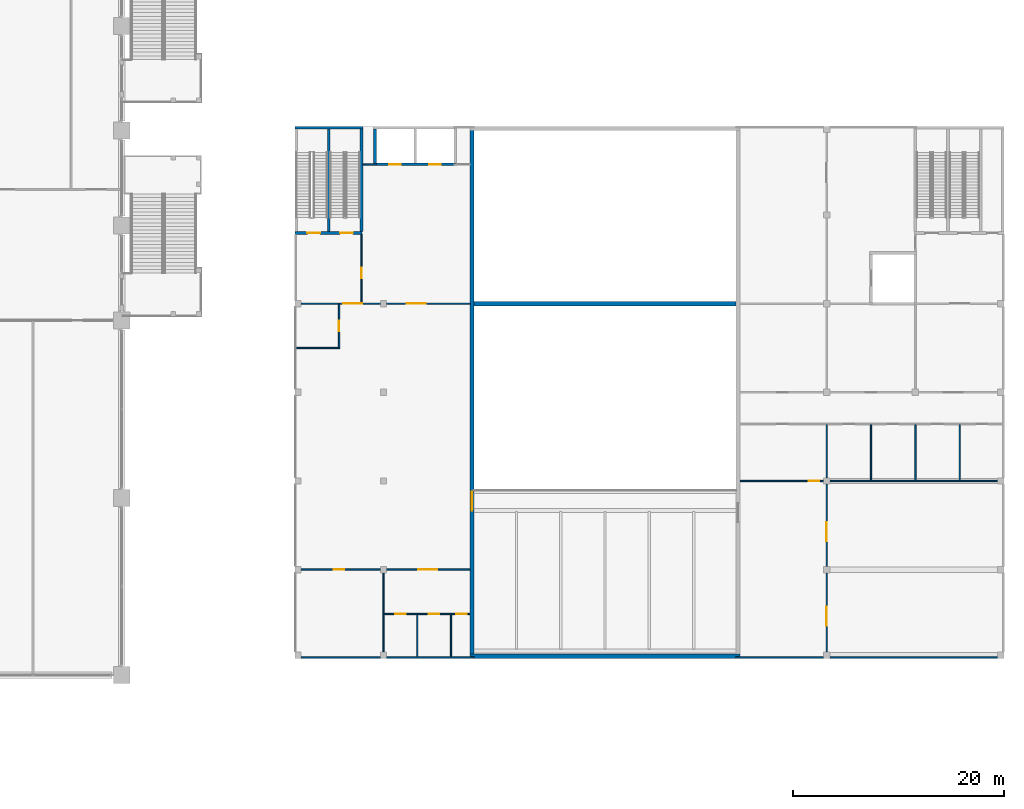
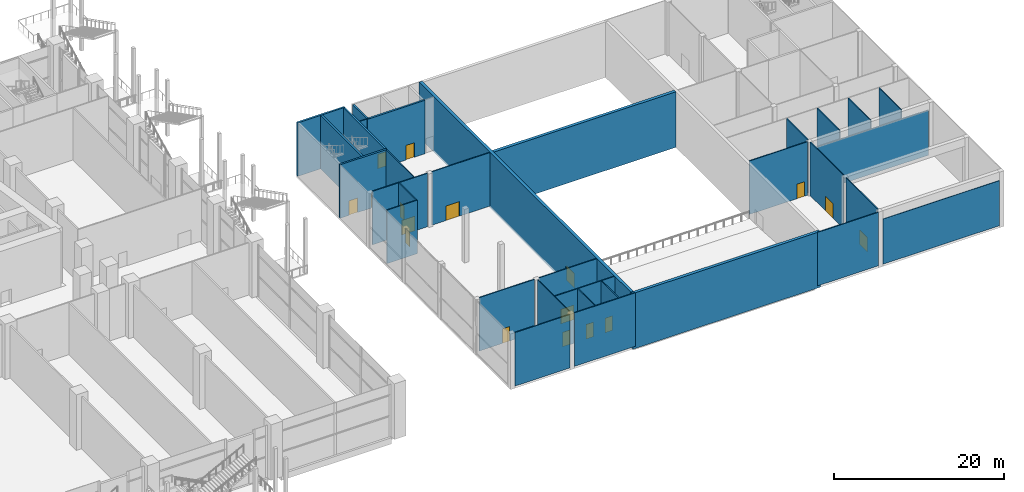
# One storey, part 31 of 52: 33 walls, 17 doors, 17 openings.
"""IFC4 building model written with IfcOpenShell, lengths in metres."""

from ifc_helpers import new_model, si_unit, direction, frame, frame_2d, origin, place, context, subcontext, project, spatial, rectangle, extrude, material, layer, layer_set, type_object, element, fill, save


model = new_model("IFC4")

# Units and contexts
model_context = context("Model", 3, precision=1e-05, world=origin(), true_north=direction((0.0, 1.0)))
body_context = subcontext(model_context, "Body", "Model", "MODEL_VIEW")
ifc_project = project(units=[si_unit("LENGTHUNIT", "METRE"), si_unit("AREAUNIT", "SQUARE_METRE"), si_unit("VOLUMEUNIT", "CUBIC_METRE"), si_unit("PLANEANGLEUNIT", "RADIAN"), si_unit("MASSUNIT", "GRAM", prefix="KILO")], contexts=[model_context])

# Site, building, storey
site_placement = place(None, origin())
site = spatial("IfcSite", under=ifc_project, at=site_placement, CompositionType="ELEMENT")
building_placement = place(site_placement, origin())
building = spatial("IfcBuilding", under=site, at=building_placement, Name="Candeia Pilgrim Tower and Theatre", CompositionType="ELEMENT")
storey_placement = place(building_placement, frame((0.0, 0.0, 9.0)))
storey = spatial("IfcBuildingStorey", under=building, at=storey_placement, Name="L01", CompositionType="ELEMENT", Elevation=9.0)

# Walls
ifc_material_1 = material(Name="Gypsum board on steel studs", Category="steel")
ifc_layer_1 = layer(ifc_material_1, 0.125)
ifc_layer_set_1 = layer_set([ifc_layer_1], Name="Partition 125")
wall_type_1 = type_object("IfcWallType", Name="Partition 125", PredefinedType="PARTITIONING", material=ifc_layer_set_1)
wall_1_placement = place(storey_placement, frame((176.60009765625, 66.0625, 0.0), z_axis=(0.0, 0.0, 1.0), x_axis=(1.0, 0.0, 0.0)))
element("IfcWall", 1, at=wall_1_placement, inside=storey, type_object=wall_type_1, Name="T-L01-W001", PredefinedType="PARTITIONING", context=body_context, shape_type="SweptSolid", body=[
    extrude(rectangle(XDim=7.5, YDim=0.125, at=frame_2d((3.75, 0.0))), origin(), (0.0, 0.0, 1.0), 7.699951171875),
])
for number, where, z_axis, x_axis, name in (
    (2, (184.699951171875, 66.0625, 0.0), (0.0, 0.0, 1.0), (1.0, 0.0, 0.0), "T-L01-W002"),
    (3, (217.800048828125, 66.0625, 0.0), (0.0, 0.0, 1.0), (1.0, 0.0, 0.0), "T-L01-W003"),
):
    element("IfcWall", number, at=place(storey_placement, frame(where, z_axis=z_axis, x_axis=x_axis)), inside=storey, type_object=wall_type_1, Name=name, PredefinedType="PARTITIONING", context=body_context, shape_type="SweptSolid", body=[
        extrude(rectangle(XDim=8.300048828125, YDim=0.125, at=frame_2d((4.14990234375, 0.0))), origin(), (0.0, 0.0, 1.0), 7.699951171875),
    ])
wall_2_placement = place(storey_placement, frame((226.699951171875, 66.0625, 0.0), z_axis=(0.0, 0.0, 1.0), x_axis=(1.0, 0.0, 0.0)))
element("IfcWall", 4, at=wall_2_placement, inside=storey, type_object=wall_type_1, Name="T-L01-W004", PredefinedType="PARTITIONING", context=body_context, shape_type="SweptSolid", body=[
    extrude(rectangle(XDim=15.900146484375, YDim=0.125, at=frame_2d((7.9501953125, 0.0))), origin(), (0.0, 0.0, 1.0), 6.5),
])

# Wall, openings, doors
wall_3_placement = place(storey_placement, frame((184.46240234375, 70.199951171875, 0.0), z_axis=(0.0, 0.0, 1.0), x_axis=(1.0, 0.0, 0.0)))
wall_3 = element("IfcWall", 5, at=wall_3_placement, inside=storey, type_object=wall_type_1, Name="T-L01-W006", PredefinedType="PARTITIONING", context=body_context, shape_type="SweptSolid", body=[
    extrude(rectangle(XDim=8.1376953125, YDim=0.125, at=frame_2d((4.06884765625, 0.0))), origin(), (0.0, 0.0, 1.0), 7.699951171875),
])
opening_1_placement = place(wall_3_placement, frame((1.03759765625, 0.0, 0.0)))
opening_1 = element("IfcOpeningElement", 6, at=opening_1_placement, cuts=wall_3, Name="Opening TD-L01-013", PredefinedType="OPENING", context=body_context, shape_type="SweptSolid", body=[
    extrude(rectangle(XDim=1.0, YDim=2.10009765625, at=frame_2d((0.5, 1.050048828125))), frame((0.0, 0.072509765625, 0.0), z_axis=(0.0, -1.0, 0.0), x_axis=(1.0, 0.0, 0.0)), (0.0, 0.0, 1.0), 0.14501953125),
])
opening_2_placement = place(wall_3_placement, frame((4.237548828125, 0.0, 0.0)))
opening_2 = element("IfcOpeningElement", 7, at=opening_2_placement, cuts=wall_3, Name="Opening TD-L01-014", PredefinedType="OPENING", context=body_context, shape_type="SweptSolid", body=[
    extrude(rectangle(XDim=1.0, YDim=2.10009765625, at=frame_2d((0.5, 1.050048828125))), frame((0.0, 0.072509765625, 0.0), z_axis=(0.0, -1.0, 0.0), x_axis=(1.0, 0.0, 0.0)), (0.0, 0.0, 1.0), 0.14501953125),
])
opening_3_placement = place(wall_3_placement, frame((6.83740234375, 0.0, 0.0)))
opening_3 = element("IfcOpeningElement", 8, at=opening_3_placement, cuts=wall_3, Name="Opening TD-L01-015", PredefinedType="OPENING", context=body_context, shape_type="SweptSolid", body=[
    extrude(rectangle(XDim=1.0, YDim=2.10009765625, at=frame_2d((0.5, 1.050048828125))), frame((0.0, 0.072509765625, 0.0), z_axis=(0.0, -1.0, 0.0), x_axis=(1.0, 0.0, 0.0)), (0.0, 0.0, 1.0), 0.14501953125),
])
ifc_material_2 = material(Name="Timber door leaf", Category="wood")
door_type_1 = type_object("IfcDoorType", Name="Door single 1000x2100", OperationType="NOTDEFINED", PredefinedType="DOOR", material=ifc_material_2)
door_1_placement = place(opening_1_placement, origin())
door_1 = element("IfcDoor", 9, at=door_1_placement, inside=storey, type_object=door_type_1, Name="Door TD-L01-013", OperationType="SINGLE_SWING_LEFT", OverallHeight=2.10009765625, OverallWidth=1.0, PredefinedType="DOOR", context=body_context, shape_type="SweptSolid", body=[
    extrude(rectangle(XDim=1.0, YDim=2.10009765625, at=frame_2d((0.5, 1.050048828125))), frame((0.0, 0.02490234375, 0.0), z_axis=(0.0, -1.0, 0.0), x_axis=(1.0, 0.0, 0.0)), (0.0, 0.0, 1.0), 0.050048828125),
])
fill(opening_1, door_1)
door_2_placement = place(opening_2_placement, origin())
door_2 = element("IfcDoor", 10, at=door_2_placement, inside=storey, type_object=door_type_1, Name="Door TD-L01-014", OperationType="SINGLE_SWING_RIGHT", OverallHeight=2.10009765625, OverallWidth=1.0, PredefinedType="DOOR", context=body_context, shape_type="SweptSolid", body=[
    extrude(rectangle(XDim=1.0, YDim=2.10009765625, at=frame_2d((0.5, 1.050048828125))), frame((0.0, 0.02490234375, 0.0), z_axis=(0.0, -1.0, 0.0), x_axis=(1.0, 0.0, 0.0)), (0.0, 0.0, 1.0), 0.050048828125),
])
fill(opening_2, door_2)
door_3_placement = place(opening_3_placement, origin())
door_3 = element("IfcDoor", 11, at=door_3_placement, inside=storey, type_object=door_type_1, Name="Door TD-L01-015", OperationType="SINGLE_SWING_LEFT", OverallHeight=2.10009765625, OverallWidth=1.0, PredefinedType="DOOR", context=body_context, shape_type="SweptSolid", body=[
    extrude(rectangle(XDim=1.0, YDim=2.10009765625, at=frame_2d((0.5, 1.050048828125))), frame((0.0, 0.02490234375, 0.0), z_axis=(0.0, -1.0, 0.0), x_axis=(1.0, 0.0, 0.0)), (0.0, 0.0, 1.0), 0.050048828125),
])
fill(opening_3, door_3)

# Wall, opening, door
wall_4_placement = place(storey_placement, frame((176.60009765625, 74.39990234375, 0.0), z_axis=(0.0, 0.0, 1.0), x_axis=(1.0, 0.0, 0.0)))
wall_4 = element("IfcWall", 12, at=wall_4_placement, inside=storey, type_object=wall_type_1, Name="T-L01-W007", PredefinedType="PARTITIONING", context=body_context, shape_type="SweptSolid", body=[
    extrude(rectangle(XDim=7.5, YDim=0.125, at=frame_2d((3.75, 0.0))), origin(), (0.0, 0.0, 1.0), 7.699951171875),
])
opening_4_placement = place(wall_4_placement, frame((3.10009765625, 0.0, 0.0)))
opening_4 = element("IfcOpeningElement", 13, at=opening_4_placement, cuts=wall_4, Name="Opening TD-L01-016", PredefinedType="OPENING", context=body_context, shape_type="SweptSolid", body=[
    extrude(rectangle(XDim=1.0, YDim=2.10009765625, at=frame_2d((0.5, 1.050048828125))), frame((0.0, 0.072509765625, 0.0), z_axis=(0.0, -1.0, 0.0), x_axis=(1.0, 0.0, 0.0)), (0.0, 0.0, 1.0), 0.14501953125),
])
door_4_placement = place(opening_4_placement, origin())
door_4 = element("IfcDoor", 14, at=door_4_placement, inside=storey, type_object=door_type_1, Name="Door TD-L01-016", OperationType="SINGLE_SWING_RIGHT", OverallHeight=2.10009765625, OverallWidth=1.0, PredefinedType="DOOR", context=body_context, shape_type="SweptSolid", body=[
    extrude(rectangle(XDim=1.0, YDim=2.10009765625, at=frame_2d((0.5, 1.050048828125))), frame((0.0, 0.02490234375, 0.0), z_axis=(0.0, -1.0, 0.0), x_axis=(1.0, 0.0, 0.0)), (0.0, 0.0, 1.0), 0.050048828125),
])
fill(opening_4, door_4)

wall_5_placement = place(storey_placement, frame((184.699951171875, 74.39990234375, 0.0), z_axis=(0.0, 0.0, 1.0), x_axis=(1.0, 0.0, 0.0)))
wall_5 = element("IfcWall", 15, at=wall_5_placement, inside=storey, type_object=wall_type_1, Name="T-L01-W008", PredefinedType="PARTITIONING", context=body_context, shape_type="SweptSolid", body=[
    extrude(rectangle(XDim=7.900146484375, YDim=0.125, at=frame_2d((3.9501953125, 0.0))), origin(), (0.0, 0.0, 1.0), 7.699951171875),
])
opening_5_placement = place(wall_5_placement, frame((3.0, 0.0, 0.0)))
opening_5 = element("IfcOpeningElement", 16, at=opening_5_placement, cuts=wall_5, Name="Opening TD-L01-012", PredefinedType="OPENING", context=body_context, shape_type="SweptSolid", body=[
    extrude(rectangle(XDim=1.800048828125, YDim=2.10009765625, at=frame_2d((0.89990234375, 1.050048828125))), frame((0.0, 0.072509765625, 0.0), z_axis=(0.0, -1.0, 0.0), x_axis=(1.0, 0.0, 0.0)), (0.0, 0.0, 1.0), 0.14501953125),
])
door_type_2 = type_object("IfcDoorType", Name="Door double 1800x2100", OperationType="DOUBLE_DOOR_SINGLE_SWING", PredefinedType="DOOR", material=ifc_material_2)
door_5_placement = place(opening_5_placement, origin())
door_5 = element("IfcDoor", 17, at=door_5_placement, inside=storey, type_object=door_type_2, Name="Door TD-L01-012", OperationType="DOUBLE_DOOR_SINGLE_SWING", OverallHeight=2.10009765625, OverallWidth=1.800048828125, PredefinedType="DOOR", context=body_context, shape_type="SweptSolid", body=[
    extrude(rectangle(XDim=1.800048828125, YDim=2.10009765625, at=frame_2d((0.89990234375, 1.050048828125))), frame((0.0, 0.02490234375, 0.0), z_axis=(0.0, -1.0, 0.0), x_axis=(1.0, 0.0, 0.0)), (0.0, 0.0, 1.0), 0.050048828125),
])
fill(opening_5, door_5)

wall_6_placement = place(storey_placement, frame((218.199951171875, 82.800048828125, 0.0), z_axis=(0.0, 0.0, 1.0), x_axis=(1.0, 0.0, 0.0)))
wall_6 = element("IfcWall", 18, at=wall_6_placement, inside=storey, type_object=wall_type_1, Name="T-L01-W009", PredefinedType="PARTITIONING", context=body_context, shape_type="SweptSolid", body=[
    extrude(rectangle(XDim=7.900146484375, YDim=0.125, at=frame_2d((3.9501953125, 0.0))), origin(), (0.0, 0.0, 1.0), 7.699951171875),
])
opening_6_placement = place(wall_6_placement, frame((6.5, 0.0, 0.0)))
opening_6 = element("IfcOpeningElement", 19, at=opening_6_placement, cuts=wall_6, Name="Opening TD-L01-024", PredefinedType="OPENING", context=body_context, shape_type="SweptSolid", body=[
    extrude(rectangle(XDim=1.0, YDim=2.10009765625, at=frame_2d((0.5, 1.050048828125))), frame((0.0, 0.072509765625, 0.0), z_axis=(0.0, -1.0, 0.0), x_axis=(1.0, 0.0, 0.0)), (0.0, 0.0, 1.0), 0.14501953125),
])
door_6_placement = place(opening_6_placement, origin())
door_6 = element("IfcDoor", 20, at=door_6_placement, inside=storey, type_object=door_type_1, Name="Door TD-L01-024", OperationType="SINGLE_SWING_RIGHT", OverallHeight=2.10009765625, OverallWidth=1.0, PredefinedType="DOOR", context=body_context, shape_type="SweptSolid", body=[
    extrude(rectangle(XDim=1.0, YDim=2.10009765625, at=frame_2d((0.5, 1.050048828125))), frame((0.0, 0.02490234375, 0.0), z_axis=(0.0, -1.0, 0.0), x_axis=(1.0, 0.0, 0.0)), (0.0, 0.0, 1.0), 0.050048828125),
])
fill(opening_6, door_6)

# Walls
wall_7_placement = place(storey_placement, frame((226.699951171875, 82.800048828125, 0.0), z_axis=(0.0, 0.0, 1.0), x_axis=(1.0, 0.0, 0.0)))
element("IfcWall", 21, at=wall_7_placement, inside=storey, type_object=wall_type_1, Name="T-L01-W010", PredefinedType="PARTITIONING", context=body_context, shape_type="SweptSolid", body=[
    extrude(rectangle(XDim=15.900146484375, YDim=0.125, at=frame_2d((7.9501953125, 0.0))), origin(), (0.0, 0.0, 1.0), 6.5),
])
wall_8_placement = place(storey_placement, frame((176.125, 95.39990234375, 0.0), z_axis=(0.0, 0.0, 1.0), x_axis=(1.0, 0.0, 0.0)))
element("IfcWall", 22, at=wall_8_placement, inside=storey, type_object=wall_type_1, Name="T-L01-W015", PredefinedType="PARTITIONING", context=body_context, shape_type="SweptSolid", body=[
    extrude(rectangle(XDim=4.137451171875, YDim=0.125, at=frame_2d((2.06884765625, 0.0))), origin(), (0.0, 0.0, 1.0), 7.699951171875),
])

# Wall, opening, door
wall_9_placement = place(storey_placement, frame((176.60009765625, 99.60009765625, 0.0), z_axis=(0.0, 0.0, 1.0), x_axis=(1.0, 0.0, 0.0)))
wall_9 = element("IfcWall", 23, at=wall_9_placement, inside=storey, type_object=wall_type_1, Name="T-L01-W016", PredefinedType="PARTITIONING", context=body_context, shape_type="SweptSolid", body=[
    extrude(rectangle(XDim=7.5, YDim=0.125, at=frame_2d((3.75, 0.0))), origin(), (0.0, 0.0, 1.0), 7.699951171875),
])
opening_7_placement = place(wall_9_placement, frame((4.0, 0.0, 0.0)))
opening_7 = element("IfcOpeningElement", 24, at=opening_7_placement, cuts=wall_9, Name="Opening TD-L01-018", PredefinedType="OPENING", context=body_context, shape_type="SweptSolid", body=[
    extrude(rectangle(XDim=1.800048828125, YDim=2.10009765625, at=frame_2d((0.89990234375, 1.050048828125))), frame((0.0, 0.072509765625, 0.0), z_axis=(0.0, -1.0, 0.0), x_axis=(1.0, 0.0, 0.0)), (0.0, 0.0, 1.0), 0.14501953125),
])
door_7_placement = place(opening_7_placement, origin())
door_7 = element("IfcDoor", 25, at=door_7_placement, inside=storey, type_object=door_type_2, Name="Door TD-L01-018", OperationType="DOUBLE_DOOR_SINGLE_SWING", OverallHeight=2.10009765625, OverallWidth=1.800048828125, PredefinedType="DOOR", context=body_context, shape_type="SweptSolid", body=[
    extrude(rectangle(XDim=1.800048828125, YDim=2.10009765625, at=frame_2d((0.89990234375, 1.050048828125))), frame((0.0, 0.02490234375, 0.0), z_axis=(0.0, -1.0, 0.0), x_axis=(1.0, 0.0, 0.0)), (0.0, 0.0, 1.0), 0.050048828125),
])
fill(opening_7, door_7)

wall_10_placement = place(storey_placement, frame((184.699951171875, 99.60009765625, 0.0), z_axis=(0.0, 0.0, 1.0), x_axis=(1.0, 0.0, 0.0)))
wall_10 = element("IfcWall", 26, at=wall_10_placement, inside=storey, type_object=wall_type_1, Name="T-L01-W017", PredefinedType="PARTITIONING", context=body_context, shape_type="SweptSolid", body=[
    extrude(rectangle(XDim=7.900146484375, YDim=0.125, at=frame_2d((3.9501953125, 0.0))), origin(), (0.0, 0.0, 1.0), 7.699951171875),
])
opening_8_placement = place(wall_10_placement, frame((1.89990234375, 0.0, 0.0)))
opening_8 = element("IfcOpeningElement", 27, at=opening_8_placement, cuts=wall_10, Name="Opening TD-L01-019", PredefinedType="OPENING", context=body_context, shape_type="SweptSolid", body=[
    extrude(rectangle(XDim=1.800048828125, YDim=2.10009765625, at=frame_2d((0.89990234375, 1.050048828125))), frame((0.0, 0.072509765625, 0.0), z_axis=(0.0, -1.0, 0.0), x_axis=(1.0, 0.0, 0.0)), (0.0, 0.0, 1.0), 0.14501953125),
])
door_8_placement = place(opening_8_placement, origin())
door_8 = element("IfcDoor", 28, at=door_8_placement, inside=storey, type_object=door_type_2, Name="Door TD-L01-019", OperationType="DOUBLE_DOOR_SINGLE_SWING", OverallHeight=2.10009765625, OverallWidth=1.800048828125, PredefinedType="DOOR", context=body_context, shape_type="SweptSolid", body=[
    extrude(rectangle(XDim=1.800048828125, YDim=2.10009765625, at=frame_2d((0.89990234375, 1.050048828125))), frame((0.0, 0.02490234375, 0.0), z_axis=(0.0, -1.0, 0.0), x_axis=(1.0, 0.0, 0.0)), (0.0, 0.0, 1.0), 0.050048828125),
])
fill(opening_8, door_8)

# Wall
wall_11_placement = place(storey_placement, frame((182.449951171875, 112.800048828125, 0.0), z_axis=(0.0, 0.0, 1.0), x_axis=(1.0, 0.0, 0.0)))
element("IfcWall", 29, at=wall_11_placement, inside=storey, type_object=wall_type_1, Name="T-L01-W026", PredefinedType="PARTITIONING", context=body_context, shape_type="SweptSolid", body=[
    extrude(rectangle(XDim=1.275146484375, YDim=0.125, at=frame_2d((0.6376953125, 0.0))), origin(), (0.0, 0.0, 1.0), 7.699951171875),
])

# Wall, opening, door
wall_12_placement = place(storey_placement, frame((180.199951171875, 95.46240234375, 0.0), z_axis=(0.0, 0.0, 1.0), x_axis=(0.0, 1.0, 0.0)))
wall_12 = element("IfcWall", 30, at=wall_12_placement, inside=storey, type_object=wall_type_1, Name="T-L01-W039", PredefinedType="PARTITIONING", context=body_context, shape_type="SweptSolid", body=[
    extrude(rectangle(XDim=4.0751953125, YDim=0.125, at=frame_2d((2.03759765625, 0.0))), origin(), (0.0, 0.0, 1.0), 7.699951171875),
])
opening_9_placement = place(wall_12_placement, frame((1.53759765625, 0.0, 0.0)))
opening_9 = element("IfcOpeningElement", 31, at=opening_9_placement, cuts=wall_12, Name="Opening TD-L01-017", PredefinedType="OPENING", context=body_context, shape_type="SweptSolid", body=[
    extrude(rectangle(XDim=1.0, YDim=2.10009765625, at=frame_2d((0.5, 1.050048828125))), frame((0.0, 0.072509765625, 0.0), z_axis=(0.0, -1.0, 0.0), x_axis=(1.0, 0.0, 0.0)), (0.0, 0.0, 1.0), 0.14501953125),
])
door_9_placement = place(opening_9_placement, origin())
door_9 = element("IfcDoor", 32, at=door_9_placement, inside=storey, type_object=door_type_1, Name="Door TD-L01-017", OperationType="SINGLE_SWING_LEFT", OverallHeight=2.10009765625, OverallWidth=1.0, PredefinedType="DOOR", context=body_context, shape_type="SweptSolid", body=[
    extrude(rectangle(XDim=1.0, YDim=2.10009765625, at=frame_2d((0.5, 1.050048828125))), frame((0.0, 0.02490234375, 0.0), z_axis=(0.0, -1.0, 0.0), x_axis=(1.0, 0.0, 0.0)), (0.0, 0.0, 1.0), 0.050048828125),
])
fill(opening_9, door_9)

wall_13_placement = place(storey_placement, frame((182.324951171875, 99.66259765625, 0.0), z_axis=(0.0, 0.0, 1.0), x_axis=(0.0, 1.0, 0.0)))
wall_13 = element("IfcWall", 33, at=wall_13_placement, inside=storey, type_object=wall_type_1, Name="T-L01-W040", PredefinedType="PARTITIONING", context=body_context, shape_type="SweptSolid", body=[
    extrude(rectangle(XDim=6.512451171875, YDim=0.125, at=frame_2d((3.25634765625, 0.0))), origin(), (0.0, 0.0, 1.0), 7.699951171875),
])
opening_10_placement = place(wall_13_placement, frame((2.33740234375, 0.0, 0.0)))
opening_10 = element("IfcOpeningElement", 34, at=opening_10_placement, cuts=wall_13, Name="Opening TD-L01-003", PredefinedType="OPENING", context=body_context, shape_type="SweptSolid", body=[
    extrude(rectangle(XDim=1.0, YDim=2.10009765625, at=frame_2d((0.5, 1.050048828125))), frame((0.0, 0.072509765625, 0.0), z_axis=(0.0, -1.0, 0.0), x_axis=(1.0, 0.0, 0.0)), (0.0, 0.0, 1.0), 0.14501953125),
])
ifc_material_3 = material(Name="Steel fire door leaf", Category="steel")
door_type_3 = type_object("IfcDoorType", Name="Door fire single 1000x2100", OperationType="NOTDEFINED", PredefinedType="DOOR", material=ifc_material_3)
door_10_placement = place(opening_10_placement, origin())
door_10 = element("IfcDoor", 35, at=door_10_placement, inside=storey, type_object=door_type_3, Name="Door TD-L01-003", OperationType="SINGLE_SWING_LEFT", OverallHeight=2.10009765625, OverallWidth=1.0, PredefinedType="DOOR", context=body_context, shape_type="SweptSolid", body=[
    extrude(rectangle(XDim=1.0, YDim=2.10009765625, at=frame_2d((0.5, 1.050048828125))), frame((0.0, 0.02490234375, 0.0), z_axis=(0.0, -1.0, 0.0), x_axis=(1.0, 0.0, 0.0)), (0.0, 0.0, 1.0), 0.050048828125),
])
fill(opening_10, door_10)

# Walls
wall_14_placement = place(storey_placement, frame((184.39990234375, 66.60009765625, 0.0), z_axis=(0.0, 0.0, 1.0), x_axis=(0.0, 1.0, 0.0)))
element("IfcWall", 36, at=wall_14_placement, inside=storey, type_object=wall_type_1, Name="T-L01-W043", PredefinedType="PARTITIONING", context=body_context, shape_type="SweptSolid", body=[
    extrude(rectangle(XDim=7.5, YDim=0.125, at=frame_2d((3.75, 0.0))), origin(), (0.0, 0.0, 1.0), 7.699951171875),
])
for number, where, z_axis, x_axis, name in (
    (37, (187.60009765625, 66.125, 0.0), (0.0, 0.0, 1.0), (0.0, 1.0, 0.0), "T-L01-W045"),
    (38, (190.800048828125, 66.125, 0.0), (0.0, 0.0, 1.0), (0.0, 1.0, 0.0), "T-L01-W046"),
):
    element("IfcWall", number, at=place(storey_placement, frame(where, z_axis=z_axis, x_axis=x_axis)), inside=storey, type_object=wall_type_1, Name=name, PredefinedType="PARTITIONING", context=body_context, shape_type="SweptSolid", body=[
        extrude(rectangle(XDim=4.012451171875, YDim=0.125, at=frame_2d((2.00634765625, 0.0))), origin(), (0.0, 0.0, 1.0), 7.699951171875),
    ])

# Wall, opening, door
wall_15_placement = place(storey_placement, frame((226.39990234375, 66.60009765625, 0.0), z_axis=(0.0, 0.0, 1.0), x_axis=(0.0, 1.0, 0.0)))
wall_15 = element("IfcWall", 39, at=wall_15_placement, inside=storey, type_object=wall_type_1, Name="T-L01-W050", PredefinedType="PARTITIONING", context=body_context, shape_type="SweptSolid", body=[
    extrude(rectangle(XDim=7.5, YDim=0.125, at=frame_2d((3.75, 0.0))), origin(), (0.0, 0.0, 1.0), 7.699951171875),
])
opening_11_placement = place(wall_15_placement, frame((2.5, 0.0, 0.0)))
opening_11 = element("IfcOpeningElement", 40, at=opening_11_placement, cuts=wall_15, Name="Opening TD-L01-021", PredefinedType="OPENING", context=body_context, shape_type="SweptSolid", body=[
    extrude(rectangle(XDim=1.800048828125, YDim=2.10009765625, at=frame_2d((0.89990234375, 1.050048828125))), frame((0.0, 0.072509765625, 0.0), z_axis=(0.0, -1.0, 0.0), x_axis=(1.0, 0.0, 0.0)), (0.0, 0.0, 1.0), 0.14501953125),
])
door_11_placement = place(opening_11_placement, origin())
door_11 = element("IfcDoor", 41, at=door_11_placement, inside=storey, type_object=door_type_2, Name="Door TD-L01-021", OperationType="DOUBLE_DOOR_SINGLE_SWING", OverallHeight=2.10009765625, OverallWidth=1.800048828125, PredefinedType="DOOR", context=body_context, shape_type="SweptSolid", body=[
    extrude(rectangle(XDim=1.800048828125, YDim=2.10009765625, at=frame_2d((0.89990234375, 1.050048828125))), frame((0.0, 0.02490234375, 0.0), z_axis=(0.0, -1.0, 0.0), x_axis=(1.0, 0.0, 0.0)), (0.0, 0.0, 1.0), 0.050048828125),
])
fill(opening_11, door_11)

wall_16_placement = place(storey_placement, frame((226.39990234375, 74.699951171875, 0.0), z_axis=(0.0, 0.0, 1.0), x_axis=(0.0, 1.0, 0.0)))
wall_16 = element("IfcWall", 42, at=wall_16_placement, inside=storey, type_object=wall_type_1, Name="T-L01-W051", PredefinedType="PARTITIONING", context=body_context, shape_type="SweptSolid", body=[
    extrude(rectangle(XDim=7.800048828125, YDim=0.125, at=frame_2d((3.89990234375, 0.0))), origin(), (0.0, 0.0, 1.0), 7.699951171875),
])
opening_12_placement = place(wall_16_placement, frame((2.39990234375, 0.0, 0.0)))
opening_12 = element("IfcOpeningElement", 43, at=opening_12_placement, cuts=wall_16, Name="Opening TD-L01-022", PredefinedType="OPENING", context=body_context, shape_type="SweptSolid", body=[
    extrude(rectangle(XDim=1.800048828125, YDim=2.10009765625, at=frame_2d((0.89990234375, 1.050048828125))), frame((0.0, 0.072509765625, 0.0), z_axis=(0.0, -1.0, 0.0), x_axis=(1.0, 0.0, 0.0)), (0.0, 0.0, 1.0), 0.14501953125),
])
door_12_placement = place(opening_12_placement, origin())
door_12 = element("IfcDoor", 44, at=door_12_placement, inside=storey, type_object=door_type_2, Name="Door TD-L01-022", OperationType="DOUBLE_DOOR_SINGLE_SWING", OverallHeight=2.10009765625, OverallWidth=1.800048828125, PredefinedType="DOOR", context=body_context, shape_type="SweptSolid", body=[
    extrude(rectangle(XDim=1.800048828125, YDim=2.10009765625, at=frame_2d((0.89990234375, 1.050048828125))), frame((0.0, 0.02490234375, 0.0), z_axis=(0.0, -1.0, 0.0), x_axis=(1.0, 0.0, 0.0)), (0.0, 0.0, 1.0), 0.050048828125),
])
fill(opening_12, door_12)

# Walls
wall_17_placement = place(storey_placement, frame((226.39990234375, 83.10009765625, 0.0), z_axis=(0.0, 0.0, 1.0), x_axis=(0.0, 1.0, 0.0)))
element("IfcWall", 45, at=wall_17_placement, inside=storey, type_object=wall_type_1, Name="T-L01-W052", PredefinedType="PARTITIONING", context=body_context, shape_type="SweptSolid", body=[
    extrude(rectangle(XDim=5.037353515625, YDim=0.125, at=frame_2d((2.5185546875, 0.0))), origin(), (0.0, 0.0, 1.0), 7.699951171875),
])
for number, where, z_axis, x_axis, name in (
    (46, (230.60009765625, 82.862548828125, 0.0), (0.0, 0.0, 1.0), (0.0, 1.0, 0.0), "T-L01-W056"),
    (47, (234.800048828125, 82.862548828125, 0.0), (0.0, 0.0, 1.0), (0.0, 1.0, 0.0), "T-L01-W058"),
    (48, (239.0, 82.862548828125, 0.0), (0.0, 0.0, 1.0), (0.0, 1.0, 0.0), "T-L01-W064"),
):
    element("IfcWall", number, at=place(storey_placement, frame(where, z_axis=z_axis, x_axis=x_axis)), inside=storey, type_object=wall_type_1, Name=name, PredefinedType="PARTITIONING", context=body_context, shape_type="SweptSolid", body=[
        extrude(rectangle(XDim=5.27490234375, YDim=0.125, at=frame_2d((2.637451171875, 0.0))), origin(), (0.0, 0.0, 1.0), 7.699951171875),
    ])

# Wall, openings, doors
ifc_material_4 = material(Name="Concrete C35/45", Category="concrete")
ifc_layer_2 = layer(ifc_material_4, 0.25)
ifc_layer_set_2 = layer_set([ifc_layer_2], Name="RC wall 250 C35/45")
wall_type_2 = type_object("IfcWallType", Name="RC wall 250 C35/45", PredefinedType="SOLIDWALL", material=ifc_layer_set_2)
wall_18_placement = place(storey_placement, frame((176.0, 106.300048828125, 0.0), z_axis=(0.0, 0.0, 1.0), x_axis=(1.0, 0.0, 0.0)))
wall_18 = element("IfcWall", 49, at=wall_18_placement, inside=storey, type_object=wall_type_2, Name="T-L01-W024", PredefinedType="SOLIDWALL", context=body_context, shape_type="SweptSolid", body=[
    extrude(rectangle(XDim=6.387451171875, YDim=0.25, at=frame_2d((3.19384765625, 0.0))), origin(), (0.0, 0.0, 1.0), 7.699951171875),
])
opening_13_placement = place(wall_18_placement, frame((1.199951171875, 0.0, 0.0)))
opening_13 = element("IfcOpeningElement", 50, at=opening_13_placement, cuts=wall_18, Name="Opening TD-L01-001", PredefinedType="OPENING", context=body_context, shape_type="SweptSolid", body=[
    extrude(rectangle(XDim=1.199951171875, YDim=2.10009765625, at=frame_2d((0.60009765625, 1.050048828125))), frame((0.0, 0.135009765625, 0.0), z_axis=(0.0, -1.0, 0.0), x_axis=(1.0, 0.0, 0.0)), (0.0, 0.0, 1.0), 0.27001953125),
])
opening_14_placement = place(wall_18_placement, frame((4.300048828125, 0.0, 0.0)))
opening_14 = element("IfcOpeningElement", 51, at=opening_14_placement, cuts=wall_18, Name="Opening TD-L01-002", PredefinedType="OPENING", context=body_context, shape_type="SweptSolid", body=[
    extrude(rectangle(XDim=1.199951171875, YDim=2.10009765625, at=frame_2d((0.60009765625, 1.050048828125))), frame((0.0, 0.135009765625, 0.0), z_axis=(0.0, -1.0, 0.0), x_axis=(1.0, 0.0, 0.0)), (0.0, 0.0, 1.0), 0.27001953125),
])
door_type_4 = type_object("IfcDoorType", Name="Door exit single 1200x2100", OperationType="NOTDEFINED", PredefinedType="DOOR", material=ifc_material_3)
door_13_placement = place(opening_13_placement, origin())
door_13 = element("IfcDoor", 52, at=door_13_placement, inside=storey, type_object=door_type_4, Name="Door TD-L01-001", OperationType="SINGLE_SWING_LEFT", OverallHeight=2.10009765625, OverallWidth=1.199951171875, PredefinedType="DOOR", context=body_context, shape_type="SweptSolid", body=[
    extrude(rectangle(XDim=1.199951171875, YDim=2.10009765625, at=frame_2d((0.60009765625, 1.050048828125))), frame((0.0, 0.02490234375, 0.0), z_axis=(0.0, -1.0, 0.0), x_axis=(1.0, 0.0, 0.0)), (0.0, 0.0, 1.0), 0.050048828125),
])
fill(opening_13, door_13)
door_14_placement = place(opening_14_placement, origin())
door_14 = element("IfcDoor", 53, at=door_14_placement, inside=storey, type_object=door_type_4, Name="Door TD-L01-002", OperationType="SINGLE_SWING_RIGHT", OverallHeight=2.10009765625, OverallWidth=1.199951171875, PredefinedType="DOOR", context=body_context, shape_type="SweptSolid", body=[
    extrude(rectangle(XDim=1.199951171875, YDim=2.10009765625, at=frame_2d((0.60009765625, 1.050048828125))), frame((0.0, 0.02490234375, 0.0), z_axis=(0.0, -1.0, 0.0), x_axis=(1.0, 0.0, 0.0)), (0.0, 0.0, 1.0), 0.050048828125),
])
fill(opening_14, door_14)

wall_19_placement = place(storey_placement, frame((183.47509765625, 112.800048828125, 0.0), z_axis=(0.0, 0.0, 1.0), x_axis=(1.0, 0.0, 0.0)))
wall_19 = element("IfcWall", 54, at=wall_19_placement, inside=storey, type_object=wall_type_2, Name="T-L01-W027", PredefinedType="SOLIDWALL", context=body_context, shape_type="SweptSolid", body=[
    extrude(rectangle(XDim=7.849853515625, YDim=0.25, at=frame_2d((3.9248046875, 0.0))), origin(), (0.0, 0.0, 1.0), 7.699951171875),
])
opening_15_placement = place(wall_19_placement, frame((1.47509765625, 0.0, 0.0)))
opening_15 = element("IfcOpeningElement", 55, at=opening_15_placement, cuts=wall_19, Name="Opening TD-L01-004", PredefinedType="OPENING", context=body_context, shape_type="SweptSolid", body=[
    extrude(rectangle(XDim=1.10009765625, YDim=2.10009765625, at=frame_2d((0.550048828125, 1.050048828125))), frame((0.0, 0.135009765625, 0.0), z_axis=(0.0, -1.0, 0.0), x_axis=(1.0, 0.0, 0.0)), (0.0, 0.0, 1.0), 0.27001953125),
])
opening_16_placement = place(wall_19_placement, frame((5.27490234375, 0.0, 0.0)))
opening_16 = element("IfcOpeningElement", 56, at=opening_16_placement, cuts=wall_19, Name="Opening TD-L01-005", PredefinedType="OPENING", context=body_context, shape_type="SweptSolid", body=[
    extrude(rectangle(XDim=1.10009765625, YDim=2.10009765625, at=frame_2d((0.550048828125, 1.050048828125))), frame((0.0, 0.135009765625, 0.0), z_axis=(0.0, -1.0, 0.0), x_axis=(1.0, 0.0, 0.0)), (0.0, 0.0, 1.0), 0.27001953125),
])
ifc_material_5 = material(Name="Stainless steel landing door", Category="steel")
door_type_5 = type_object("IfcDoorType", Name="Door lift landing 1100x2100", OperationType="DOUBLE_DOOR_SLIDING", PredefinedType="DOOR", material=ifc_material_5)
door_15_placement = place(opening_15_placement, origin())
door_15 = element("IfcDoor", 57, at=door_15_placement, inside=storey, type_object=door_type_5, Name="Door TD-L01-004", OperationType="DOUBLE_DOOR_SLIDING", OverallHeight=2.10009765625, OverallWidth=1.10009765625, PredefinedType="DOOR", context=body_context, shape_type="SweptSolid", body=[
    extrude(rectangle(XDim=1.10009765625, YDim=2.10009765625, at=frame_2d((0.550048828125, 1.050048828125))), frame((0.0, 0.02490234375, 0.0), z_axis=(0.0, -1.0, 0.0), x_axis=(1.0, 0.0, 0.0)), (0.0, 0.0, 1.0), 0.050048828125),
])
fill(opening_15, door_15)
door_16_placement = place(opening_16_placement, origin())
door_16 = element("IfcDoor", 58, at=door_16_placement, inside=storey, type_object=door_type_5, Name="Door TD-L01-005", OperationType="DOUBLE_DOOR_SLIDING", OverallHeight=2.10009765625, OverallWidth=1.10009765625, PredefinedType="DOOR", context=body_context, shape_type="SweptSolid", body=[
    extrude(rectangle(XDim=1.10009765625, YDim=2.10009765625, at=frame_2d((0.550048828125, 1.050048828125))), frame((0.0, 0.02490234375, 0.0), z_axis=(0.0, -1.0, 0.0), x_axis=(1.0, 0.0, 0.0)), (0.0, 0.0, 1.0), 0.050048828125),
])
fill(opening_16, door_16)

# Walls
wall_20_placement = place(storey_placement, frame((176.0, 116.27490234375, 0.0), z_axis=(0.0, 0.0, 1.0), x_axis=(1.0, 0.0, 0.0)))
element("IfcWall", 59, at=wall_20_placement, inside=storey, type_object=wall_type_2, Name="T-L01-W030", PredefinedType="SOLIDWALL", context=body_context, shape_type="SweptSolid", body=[
    extrude(rectangle(XDim=6.449951171875, YDim=0.25, at=frame_2d((3.22509765625, 0.0))), origin(), (0.0, 0.0, 1.0), 7.699951171875),
])
for number, where, z_axis, x_axis, name in (
    (60, (179.22509765625, 106.425048828125, 0.0), (0.0, 0.0, 1.0), (0.0, 1.0, 0.0), "T-L01-W038"),
    (61, (182.324951171875, 106.425048828125, 0.0), (0.0, 0.0, 1.0), (0.0, 1.0, 0.0), "T-L01-W041"),
):
    element("IfcWall", number, at=place(storey_placement, frame(where, z_axis=z_axis, x_axis=x_axis)), inside=storey, type_object=wall_type_2, Name=name, PredefinedType="SOLIDWALL", context=body_context, shape_type="SweptSolid", body=[
        extrude(rectangle(XDim=9.724853515625, YDim=0.25, at=frame_2d((4.8623046875, 0.0))), origin(), (0.0, 0.0, 1.0), 7.699951171875),
    ])
wall_21_placement = place(storey_placement, frame((183.60009765625, 112.862548828125, 0.0), z_axis=(0.0, 0.0, 1.0), x_axis=(0.0, 1.0, 0.0)))
element("IfcWall", 62, at=wall_21_placement, inside=storey, type_object=wall_type_2, Name="T-L01-W042", PredefinedType="SOLIDWALL", context=body_context, shape_type="SweptSolid", body=[
    extrude(rectangle(XDim=3.287353515625, YDim=0.25, at=frame_2d((1.6435546875, 0.0))), origin(), (0.0, 0.0, 1.0), 7.699951171875),
])
ifc_material_6 = material(Name="Concrete C40/50", Category="concrete")
ifc_layer_3 = layer(ifc_material_6, 0.39990234375)
ifc_layer_set_3 = layer_set([ifc_layer_3], Name="RC wall 400 house C40/50")
wall_type_3 = type_object("IfcWallType", Name="RC wall 400 house C40/50", PredefinedType="SOLIDWALL", material=ifc_layer_set_3)
wall_22_placement = place(storey_placement, frame((192.60009765625, 66.199951171875, -0.300048828125), z_axis=(0.0, 0.0, 1.0), x_axis=(1.0, 0.0, 0.0)))
element("IfcWall", 63, at=wall_22_placement, inside=storey, type_object=wall_type_3, Name="T-L01-W005", PredefinedType="SOLIDWALL", context=body_context, shape_type="SweptSolid", body=[
    extrude(rectangle(XDim=25.599853515625, YDim=0.39990234375, at=frame_2d((12.7998046875, 0.0))), origin(), (0.0, 0.0, 1.0), 8.0),
])
wall_23_placement = place(storey_placement, frame((193.0, 99.60009765625, -0.300048828125), z_axis=(0.0, 0.0, 1.0), x_axis=(1.0, 0.0, 0.0)))
element("IfcWall", 64, at=wall_23_placement, inside=storey, type_object=wall_type_3, Name="T-L01-W018", PredefinedType="SOLIDWALL", context=body_context, shape_type="SweptSolid", body=[
    extrude(rectangle(XDim=24.800048828125, YDim=0.39990234375, at=frame_2d((12.39990234375, 0.0))), origin(), (0.0, 0.0, 1.0), 8.0),
])

# Wall, opening, door
wall_24_placement = place(storey_placement, frame((192.800048828125, 66.125, -0.300048828125), z_axis=(0.0, 0.0, 1.0), x_axis=(0.0, 1.0, 0.0)))
wall_24 = element("IfcWall", 65, at=wall_24_placement, inside=storey, type_object=wall_type_3, Name="T-L01-W048", PredefinedType="SOLIDWALL", context=body_context, shape_type="SweptSolid", body=[
    extrude(rectangle(XDim=50.14990234375, YDim=0.39990234375, at=frame_2d((25.074951171875, 0.0))), origin(), (0.0, 0.0, 1.0), 8.0),
])
opening_17_placement = place(wall_24_placement, frame((13.875, 0.0, 0.300048828125)))
opening_17 = element("IfcOpeningElement", 66, at=opening_17_placement, cuts=wall_24, Name="Opening TD-L01-020", PredefinedType="OPENING", context=body_context, shape_type="SweptSolid", body=[
    extrude(rectangle(XDim=1.800048828125, YDim=2.10009765625, at=frame_2d((0.89990234375, 1.050048828125))), frame((0.0, 0.2099609375, 0.0), z_axis=(0.0, -1.0, 0.0), x_axis=(1.0, 0.0, 0.0)), (0.0, 0.0, 1.0), 0.419921875),
])
door_17_placement = place(opening_17_placement, origin())
door_17 = element("IfcDoor", 67, at=door_17_placement, inside=storey, type_object=door_type_2, Name="Door TD-L01-020", OperationType="DOUBLE_DOOR_SINGLE_SWING", OverallHeight=2.10009765625, OverallWidth=1.800048828125, PredefinedType="DOOR", context=body_context, shape_type="SweptSolid", body=[
    extrude(rectangle(XDim=1.800048828125, YDim=2.10009765625, at=frame_2d((0.89990234375, 1.050048828125))), frame((0.0, 0.02490234375, 0.0), z_axis=(0.0, -1.0, 0.0), x_axis=(1.0, 0.0, 0.0)), (0.0, 0.0, 1.0), 0.050048828125),
])
fill(opening_17, door_17)

save(model, "model.ifc")
